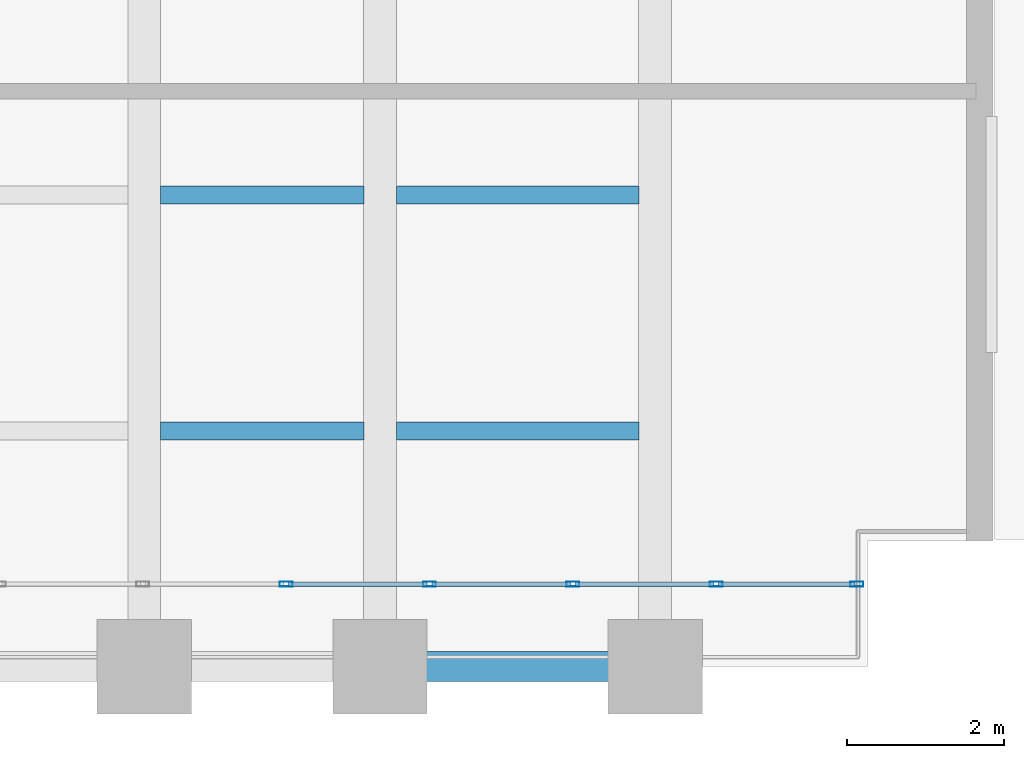
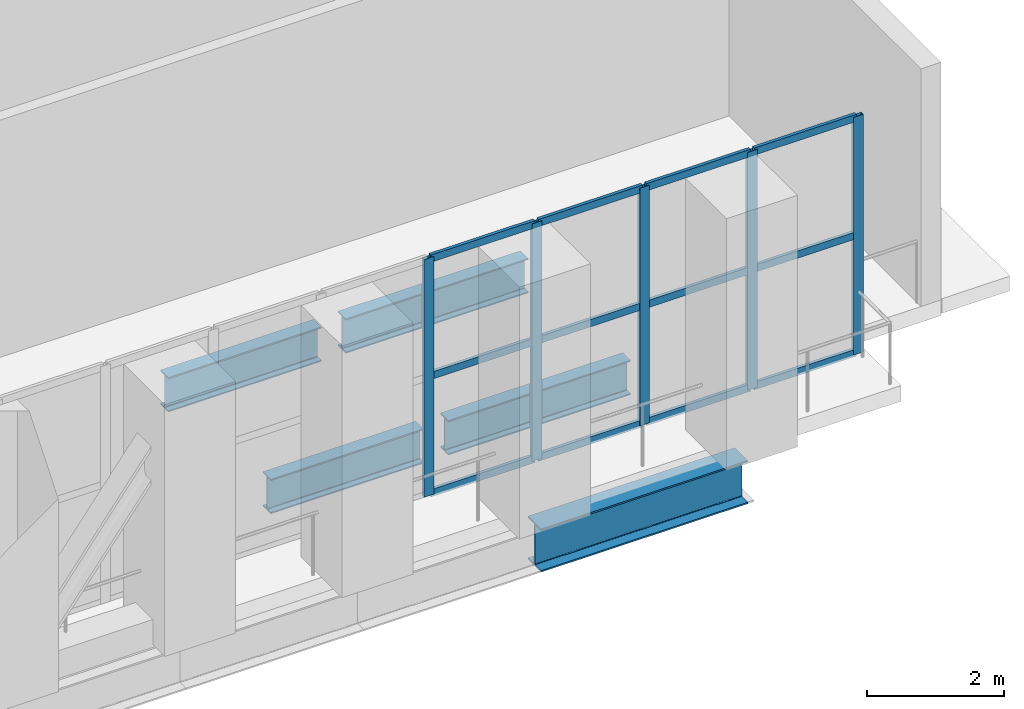
# One storey, part 15 of 27: 17 members, 5 beams, 1 element without a shape of its own.
"""IFC4 building model written with IfcOpenShell, lengths in metres."""

import ifcopenshell
import ifcopenshell.guid

model = None  # the IFC model being written
_history = None  # IfcOwnerHistory: only IFC2X3 demands one
_inside = {}  # id of a spatial element -> (the spatial element, [elements in it])
_under = {}  # id of a project, library or spatial element -> (it, [spatial elements below it])
_declared = {}  # id of a project -> (the project, [libraries it declares])
_typed = {}  # id of a type object -> (the type object, [elements of that type])
_made_of = {}  # id of a material, layer set ... -> (it, [elements and type objects made of it])


def new_model(schema):
    """Start an empty IFC model of exactly this schema.

    Asked for "IFC4X3", IfcOpenShell would pick the latest addendum, in which some entities
    have other attributes; the version numbers below select the first issue.
    IFC2X3 requires an IfcOwnerHistory on every rooted entity: one is made here for all.
    """
    global model, _history
    if schema == "IFC4X3":
        model = ifcopenshell.file(schema_version=(4, 3, 0, 0))
    else:
        model = ifcopenshell.file(schema=schema)
    _inside.clear()
    _under.clear()
    _declared.clear()
    _typed.clear()
    _made_of.clear()
    _history = None
    if model.schema == "IFC2X3":
        org = make("IfcOrganization", Name="unknown")
        user = make(
            "IfcPersonAndOrganization",
            ThePerson=make("IfcPerson", FamilyName="unknown"),
            TheOrganization=org,
        )
        app = make(
            "IfcApplication",
            ApplicationDeveloper=org,
            Version="unknown",
            ApplicationFullName="unknown",
            ApplicationIdentifier="unknown",
        )
        _history = make(
            "IfcOwnerHistory",
            OwningUser=user,
            OwningApplication=app,
            ChangeAction="ADDED",
            CreationDate=0,
        )
    return model


def make(cls, **values):
    """One entity of the class cls with the attributes given. An attribute that is None is left unset."""
    return model.create_entity(
        cls, **{name: value for name, value in values.items() if value is not None}
    )


def rooted(cls, **values):
    """An entity with a GlobalId (a new one), such as an element, a storey or a relation."""
    return make(cls, GlobalId=ifcopenshell.guid.new(), OwnerHistory=_history, **values)


def si_unit(unit_type, name, prefix=None):
    """IfcSIUnit, for example si_unit("LENGTHUNIT", "METRE", prefix="MILLI")."""
    return make("IfcSIUnit", UnitType=unit_type, Prefix=prefix, Name=name)


def assignment(units):
    """IfcUnitAssignment: the units of a project."""
    return None if units is None else make("IfcUnitAssignment", Units=units)


def point(xyz):
    """IfcCartesianPoint."""
    return None if xyz is None else make("IfcCartesianPoint", Coordinates=xyz)


def direction(xyz):
    """IfcDirection."""
    return None if xyz is None else make("IfcDirection", DirectionRatios=xyz)


def frame(location, z_axis=None, x_axis=None):
    """IfcAxis2Placement3D, a coordinate frame: its origin and axes. An axis left out is left unset."""
    return make(
        "IfcAxis2Placement3D",
        Location=point(location),
        Axis=direction(z_axis),
        RefDirection=direction(x_axis),
    )


def frame_2d(location, x_axis=None):
    """IfcAxis2Placement2D, a coordinate frame in the plane: its origin and x axis."""
    return make(
        "IfcAxis2Placement2D", Location=point(location), RefDirection=direction(x_axis)
    )


def origin():
    """The frame at (0, 0, 0) with its axes left unset."""
    return frame((0.0, 0.0, 0.0))


def origin_2d():
    """The frame at (0, 0) in the plane with its x axis left unset."""
    return frame_2d((0.0, 0.0))


def place(relative_to, where):
    """IfcLocalPlacement: puts the frame where relative to a parent placement (None: the world)."""
    return make(
        "IfcLocalPlacement", PlacementRelTo=relative_to, RelativePlacement=where
    )


def context(
    kind, dimensions, precision=None, world=None, true_north=None, identifier=None
):
    """IfcGeometricRepresentationContext, for example the 3D "Model" context."""
    return make(
        "IfcGeometricRepresentationContext",
        ContextIdentifier=identifier,
        ContextType=kind,
        CoordinateSpaceDimension=dimensions,
        Precision=precision,
        WorldCoordinateSystem=world,
        TrueNorth=true_north,
    )


def subcontext(parent, identifier, kind, view, scale=None):
    """IfcGeometricRepresentationSubContext, for example "Body" below "Model"."""
    return make(
        "IfcGeometricRepresentationSubContext",
        ContextIdentifier=identifier,
        ContextType=kind,
        ParentContext=parent,
        TargetScale=scale,
        TargetView=view,
    )


def project(units=None, contexts=None):
    """IfcProject with its units and contexts."""
    return rooted(
        "IfcProject",
        Name="project",
        RepresentationContexts=contexts,
        UnitsInContext=assignment(units),
    )


def spatial(cls, under=None, at=None, **own):
    """A site, building, storey or space (cls), placed at a placement, below another one or the project."""
    s = rooted(cls, ObjectPlacement=at, **own)
    if under is not None:
        _under.setdefault(under.id(), (under, []))[1].append(s)
    return s


def profile(cls, at=None, kind="AREA", **sizes):
    """A parametric profile (cls). Its sizes go by their IFC names, for example OverallWidth=200.0."""
    return make(cls, ProfileType=kind, Position=at, **sizes)


def hollow_rectangle(**sizes):
    """IfcRectangleHollowProfileDef."""
    return profile("IfcRectangleHollowProfileDef", **sizes)


def i_section(**sizes):
    """IfcIShapeProfileDef."""
    return profile("IfcIShapeProfileDef", **sizes)


def extrude(swept, where, along, depth):
    """IfcExtrudedAreaSolid: the profile swept, set in the frame where, extruded along a direction by depth."""
    return make(
        "IfcExtrudedAreaSolid",
        SweptArea=swept,
        Position=where,
        ExtrudedDirection=direction(along),
        Depth=depth,
    )


def shape(context_of_items, identifier, shape_type, items):
    """IfcShapeRepresentation: the items that make up one representation, for example the "Body"."""
    return make(
        "IfcShapeRepresentation",
        ContextOfItems=context_of_items,
        RepresentationIdentifier=identifier,
        RepresentationType=shape_type,
        Items=items,
    )


def material(Name=None, Category=None):
    """IfcMaterial."""
    return make("IfcMaterial", Name=Name, Category=Category)


def layer(
    of_material, thickness, ventilated=None, Name=None, Category=None, Priority=None
):
    """IfcMaterialLayer: one layer of a wall or slab, of a material (None: an air gap)."""
    return make(
        "IfcMaterialLayer",
        Material=of_material,
        LayerThickness=thickness,
        IsVentilated=ventilated,
        Name=Name,
        Category=Category,
        Priority=Priority,
    )


def layer_set(layers, Name=None):
    """IfcMaterialLayerSet."""
    return make("IfcMaterialLayerSet", MaterialLayers=layers, LayerSetName=Name)


def material_profile(
    of_material, cross_section, Name=None, Category=None, Priority=None
):
    """IfcMaterialProfile: a cross section and its material."""
    return make(
        "IfcMaterialProfile",
        Name=Name,
        Material=of_material,
        Profile=cross_section,
        Priority=Priority,
        Category=Category,
    )


def profile_set(profiles, Name=None, composite=None):
    """IfcMaterialProfileSet."""
    return make(
        "IfcMaterialProfileSet",
        Name=Name,
        MaterialProfiles=profiles,
        CompositeProfile=composite,
    )


def made_of(thing, what):
    """Note that an element or type object is made of a material, layer set ...; save() writes the relation."""
    if what is not None:
        _made_of.setdefault(what.id(), (what, []))[1].append(thing)
    return thing


def type_object(cls, material=None, **own):
    """A type object (cls), such as IfcWallType, which elements share."""
    return made_of(rooted(cls, **own), material)


def element(
    cls,
    number,
    at=None,
    inside=None,
    cuts=None,
    type_object=None,
    material=None,
    context=None,
    identifier="Body",
    shape_type=None,
    held_by="IfcProductDefinitionShape",
    body=None,
    shapes=None,
    **own,
):
    """One element of the class cls, such as IfcWall. Its Tag is "e" and its number.

    at: its placement. inside: the storey or other place that contains it. cuts: it is an
    opening in that element (IfcRelVoidsElement). A single representation is given by context,
    identifier, shape_type and body (its items); several are given by shapes. held_by: the class
    of the entity that holds the representations. save() writes the other relations.
    """
    e = rooted(cls, Tag="e%d" % number, ObjectPlacement=at, **own)
    if body is not None:
        shapes = [shape(context, identifier, shape_type, body)]
    if shapes is not None:
        e.Representation = make(held_by, Representations=shapes)
    if inside is not None:
        _inside.setdefault(inside.id(), (inside, []))[1].append(e)
    if cuts is not None:
        rooted(
            "IfcRelVoidsElement", RelatingBuildingElement=cuts, RelatedOpeningElement=e
        )
    if type_object is not None:
        _typed.setdefault(type_object.id(), (type_object, []))[1].append(e)
    return made_of(e, material)


def aggregate(whole, parts):
    """IfcRelAggregates: a whole, such as a stair, and the parts it consists of."""
    return rooted("IfcRelAggregates", RelatingObject=whole, RelatedObjects=parts)


def save(model, path):
    """Write the relations noted so far, then the file.

    IfcRelAggregates (storeys below a building ...), IfcRelContainedInSpatialStructure (elements
    in a storey), IfcRelDefinesByType, IfcRelAssociatesMaterial and IfcRelDeclares: one each for
    every whole, place, type object, material and project.
    """
    for whole, parts in _under.values():
        aggregate(whole, parts)
    for where, things in _inside.values():
        rooted(
            "IfcRelContainedInSpatialStructure",
            RelatedElements=things,
            RelatingStructure=where,
        )
    for kind, things in _typed.values():
        rooted("IfcRelDefinesByType", RelatedObjects=things, RelatingType=kind)
    for what, things in _made_of.values():
        rooted("IfcRelAssociatesMaterial", RelatedObjects=things, RelatingMaterial=what)
    for by, libraries in _declared.values():
        rooted("IfcRelDeclares", RelatingContext=by, RelatedDefinitions=libraries)
    model.write(path)


model = new_model("IFC4")

# Units and contexts
model_context = context("Model", 3, precision=1e-05, world=origin(), true_north=direction((0.0, 1.0)))
body_context = subcontext(model_context, "Body", "Model", "MODEL_VIEW")
ifc_project = project(units=[si_unit("LENGTHUNIT", "METRE"), si_unit("AREAUNIT", "SQUARE_METRE"), si_unit("VOLUMEUNIT", "CUBIC_METRE"), si_unit("PLANEANGLEUNIT", "RADIAN"), si_unit("MASSUNIT", "GRAM", prefix="KILO")], contexts=[model_context])

# Site, building, storey
site_placement = place(None, origin())
site = spatial("IfcSite", under=ifc_project, at=site_placement, CompositionType="ELEMENT")
building_placement = place(site_placement, origin())
building = spatial("IfcBuilding", under=site, at=building_placement, Name="Mawjdan Bourse Tower", CompositionType="ELEMENT")
storey_placement = place(building_placement, frame((0.0, 0.0, 84.60009765625)))
storey = spatial("IfcBuildingStorey", under=building, at=storey_placement, Name="L19", CompositionType="ELEMENT", Elevation=84.60009765625)

# Beams
ifc_material_1 = material(Name="Structural Steel S355", Category="steel")
ifc_material_profile_1 = material_profile(ifc_material_1, i_section(OverallWidth=0.22998046875, OverallDepth=0.616943359375, WebThickness=0.01318359375, FlangeThickness=0.022216796875, FilletRadius=0.017822265625, at=origin_2d()), Name="W24X94")
ifc_profile_set_1 = profile_set([ifc_material_profile_1], Name="Structural Steel S355")
beam_type_1 = type_object("IfcBeamType", Name="JST-W24X94", PredefinedType="JOIST", material=ifc_profile_set_1)
beam_1_placement = place(storey_placement, frame((54.20703125, 6.0, -0.588623046875), z_axis=(1.0, 0.0, 0.0), x_axis=(0.0, 1.0, 0.0)))
element("IfcBeam", 1, at=beam_1_placement, inside=storey, type_object=beam_type_1, Name="L19 East Wing Composite Joist 028", PredefinedType="JOIST", context=body_context, shape_type="SweptSolid", body=[
    extrude(i_section(OverallWidth=0.22998046875, OverallDepth=0.616943359375, WebThickness=0.01318359375, FlangeThickness=0.022216796875, FilletRadius=0.017822265625, at=origin_2d()), origin(), (0.0, 0.0, 1.0), 2.5859375),
])
beam_2_placement = place(storey_placement, frame((57.20703125, 6.0, -0.588623046875), z_axis=(1.0, 0.0, 0.0), x_axis=(0.0, 1.0, 0.0)))
element("IfcBeam", 2, at=beam_2_placement, inside=storey, type_object=beam_type_1, Name="L19 East Wing Composite Joist 029", PredefinedType="JOIST", context=body_context, shape_type="SweptSolid", body=[
    extrude(i_section(OverallWidth=0.22998046875, OverallDepth=0.616943359375, WebThickness=0.01318359375, FlangeThickness=0.022216796875, FilletRadius=0.017822265625, at=origin_2d()), origin(), (0.0, 0.0, 1.0), 3.0859375),
])
beam_3_placement = place(storey_placement, frame((54.20703125, 9.0, -0.588623046875), z_axis=(1.0, 0.0, 0.0), x_axis=(0.0, 1.0, 0.0)))
element("IfcBeam", 3, at=beam_3_placement, inside=storey, type_object=beam_type_1, Name="L19 East Wing Composite Joist 035", PredefinedType="JOIST", context=body_context, shape_type="SweptSolid", body=[
    extrude(i_section(OverallWidth=0.22998046875, OverallDepth=0.616943359375, WebThickness=0.01318359375, FlangeThickness=0.022216796875, FilletRadius=0.017822265625, at=origin_2d()), origin(), (0.0, 0.0, 1.0), 2.5859375),
])
beam_4_placement = place(storey_placement, frame((57.20703125, 9.0, -0.588623046875), z_axis=(1.0, 0.0, 0.0), x_axis=(0.0, 1.0, 0.0)))
element("IfcBeam", 4, at=beam_4_placement, inside=storey, type_object=beam_type_1, Name="L19 East Wing Composite Joist 036", PredefinedType="JOIST", context=body_context, shape_type="SweptSolid", body=[
    extrude(i_section(OverallWidth=0.22998046875, OverallDepth=0.616943359375, WebThickness=0.01318359375, FlangeThickness=0.022216796875, FilletRadius=0.017822265625, at=origin_2d()), origin(), (0.0, 0.0, 1.0), 3.0859375),
])

# Curtain wall, members
ifc_material_2 = material(Name="Thermally Broken Aluminium and Solar Glass", Category="aluminium")
ifc_layer = layer(ifc_material_2, 0.219970703125)
ifc_layer_set = layer_set([ifc_layer], Name="Thermally Broken Aluminium and Solar Glass")
curtain_wall_type = type_object("IfcCurtainWallType", Name="CW-RFG", PredefinedType="USERDEFINED", material=ifc_layer_set)
curtain_wall_placement = place(storey_placement, origin())
curtain_wall = element("IfcCurtainWall", 5, at=curtain_wall_placement, inside=storey, type_object=curtain_wall_type, Name="L19 Refuge Band South Louvre Curtain Wall", ObjectType="REFUGE BAND LOUVRE SCREEN", PredefinedType="USERDEFINED")
ifc_material_3 = material(Name="Thermally Broken Anodised Aluminium", Category="aluminium")
ifc_material_profile_2 = material_profile(ifc_material_3, hollow_rectangle(XDim=0.06494140625, YDim=0.1650390625, WallThickness=0.00390625, at=origin_2d()), Name="ALU-MUL-165X65")
ifc_profile_set_2 = profile_set([ifc_material_profile_2], Name="Thermally Broken Anodised Aluminium")
member_type_1 = type_object("IfcMemberType", Name="MUL-ALU-MUL-165X65", PredefinedType="MULLION", material=ifc_profile_set_2)
member_1_placement = place(storey_placement, frame((55.8046875, 4.050048828125, 0.0), z_axis=(0.0, 0.0, 1.0), x_axis=(0.0, 1.0, 0.0)))
member_1 = element("IfcMember", 6, at=member_1_placement, type_object=member_type_1, Name="CW-RFG-L19-RFG-S mullion 18", PredefinedType="MULLION", context=body_context, shape_type="SweptSolid", body=[
    extrude(hollow_rectangle(XDim=0.06494140625, YDim=0.1650390625, WallThickness=0.00390625, at=origin_2d()), origin(), (0.0, 0.0, 1.0), 4.25),
])
member_2_placement = place(storey_placement, frame((57.628662109375, 4.050048828125, 0.0), z_axis=(0.0, 0.0, 1.0), x_axis=(0.0, 1.0, 0.0)))
member_2 = element("IfcMember", 7, at=member_2_placement, type_object=member_type_1, Name="CW-RFG-L19-RFG-S mullion 19", PredefinedType="MULLION", context=body_context, shape_type="SweptSolid", body=[
    extrude(hollow_rectangle(XDim=0.06494140625, YDim=0.1650390625, WallThickness=0.00390625, at=origin_2d()), origin(), (0.0, 0.0, 1.0), 4.25),
])
member_3_placement = place(storey_placement, frame((59.452392578125, 4.050048828125, 0.0), z_axis=(0.0, 0.0, 1.0), x_axis=(0.0, 1.0, 0.0)))
member_3 = element("IfcMember", 8, at=member_3_placement, type_object=member_type_1, Name="CW-RFG-L19-RFG-S mullion 20", PredefinedType="MULLION", context=body_context, shape_type="SweptSolid", body=[
    extrude(hollow_rectangle(XDim=0.06494140625, YDim=0.1650390625, WallThickness=0.00390625, at=origin_2d()), origin(), (0.0, 0.0, 1.0), 4.25),
])
member_4_placement = place(storey_placement, frame((61.276123046875, 4.050048828125, 0.0), z_axis=(0.0, 0.0, 1.0), x_axis=(0.0, 1.0, 0.0)))
member_4 = element("IfcMember", 9, at=member_4_placement, type_object=member_type_1, Name="CW-RFG-L19-RFG-S mullion 21", PredefinedType="MULLION", context=body_context, shape_type="SweptSolid", body=[
    extrude(hollow_rectangle(XDim=0.06494140625, YDim=0.1650390625, WallThickness=0.00390625, at=origin_2d()), origin(), (0.0, 0.0, 1.0), 4.25),
])
member_5_placement = place(storey_placement, frame((63.0673828125, 4.050048828125, 0.0), z_axis=(0.0, 0.0, 1.0), x_axis=(0.0, 1.0, 0.0)))
member_5 = element("IfcMember", 10, at=member_5_placement, type_object=member_type_1, Name="CW-RFG-L19-RFG-S mullion 22", PredefinedType="MULLION", context=body_context, shape_type="SweptSolid", body=[
    extrude(hollow_rectangle(XDim=0.06494140625, YDim=0.1650390625, WallThickness=0.00390625, at=origin_2d()), origin(), (0.0, 0.0, 1.0), 4.25),
])

# Beam
ifc_material_profile_3 = material_profile(ifc_material_1, i_section(OverallWidth=0.381103515625, OverallDepth=0.77294921875, WebThickness=0.0166015625, FlangeThickness=0.027099609375, FilletRadius=0.021728515625, at=origin_2d()), Name="W30X173")
ifc_profile_set_3 = profile_set([ifc_material_profile_3], Name="Structural Steel S355")
beam_type_2 = type_object("IfcBeamType", Name="SPN-W30X173", PredefinedType="SPANDREL", material=ifc_profile_set_3)
beam_5_placement = place(storey_placement, frame((57.0, 3.0, -0.66650390625), z_axis=(1.0, 0.0, 0.0), x_axis=(0.0, 1.0, 0.0)))
element("IfcBeam", 11, at=beam_5_placement, inside=storey, type_object=beam_type_2, Name="L19 Perimeter Masonry-Shelf Spandrel 015", PredefinedType="SPANDREL", context=body_context, shape_type="SweptSolid", body=[
    extrude(i_section(OverallWidth=0.381103515625, OverallDepth=0.77294921875, WebThickness=0.0166015625, FlangeThickness=0.027099609375, FilletRadius=0.021728515625, at=origin_2d()), origin(), (0.0, 0.0, 1.0), 3.5),
])

# Member
ifc_material_profile_4 = material_profile(ifc_material_3, hollow_rectangle(XDim=0.054931640625, YDim=0.1298828125, WallThickness=0.00341796875, at=origin_2d()), Name="ALU-TRN-130X55")
ifc_profile_set_4 = profile_set([ifc_material_profile_4], Name="Thermally Broken Anodised Aluminium")
member_type_2 = type_object("IfcMemberType", Name="TRN-ALU-TRN-130X55", PredefinedType="USERDEFINED", material=ifc_profile_set_4)
member_6_placement = place(storey_placement, frame((55.837158203125, 4.050048828125, 0.02734375), z_axis=(1.0, 0.0, 0.0), x_axis=(0.0, 1.0, 0.0)))
member_6 = element("IfcMember", 12, at=member_6_placement, type_object=member_type_2, Name="CW-RFG-L19-RFG-S transom 18.1", ObjectType="TRANSOM", PredefinedType="USERDEFINED", context=body_context, shape_type="SweptSolid", body=[
    extrude(hollow_rectangle(XDim=0.054931640625, YDim=0.1298828125, WallThickness=0.00341796875, at=origin_2d()), origin(), (0.0, 0.0, 1.0), 1.759033203125),
])

member_7_placement = place(storey_placement, frame((55.837158203125, 4.050048828125, 2.125), z_axis=(1.0, 0.0, 0.0), x_axis=(0.0, 1.0, 0.0)))
member_7 = element("IfcMember", 13, at=member_7_placement, type_object=member_type_2, Name="CW-RFG-L19-RFG-S transom 18.2", ObjectType="TRANSOM", PredefinedType="USERDEFINED", context=body_context, shape_type="SweptSolid", body=[
    extrude(hollow_rectangle(XDim=0.054931640625, YDim=0.1298828125, WallThickness=0.00341796875, at=origin_2d()), origin(), (0.0, 0.0, 1.0), 1.759033203125),
])

member_8_placement = place(storey_placement, frame((55.837158203125, 4.050048828125, 4.222412109375), z_axis=(1.0, 0.0, 0.0), x_axis=(0.0, 1.0, 0.0)))
member_8 = element("IfcMember", 14, at=member_8_placement, type_object=member_type_2, Name="CW-RFG-L19-RFG-S transom 18.3", ObjectType="TRANSOM", PredefinedType="USERDEFINED", context=body_context, shape_type="SweptSolid", body=[
    extrude(hollow_rectangle(XDim=0.054931640625, YDim=0.1298828125, WallThickness=0.00341796875, at=origin_2d()), origin(), (0.0, 0.0, 1.0), 1.759033203125),
])

member_9_placement = place(storey_placement, frame((57.6611328125, 4.050048828125, 0.02734375), z_axis=(1.0, 0.0, 0.0), x_axis=(0.0, 1.0, 0.0)))
member_9 = element("IfcMember", 15, at=member_9_placement, type_object=member_type_2, Name="CW-RFG-L19-RFG-S transom 19.1", ObjectType="TRANSOM", PredefinedType="USERDEFINED", context=body_context, shape_type="SweptSolid", body=[
    extrude(hollow_rectangle(XDim=0.054931640625, YDim=0.1298828125, WallThickness=0.00341796875, at=origin_2d()), origin(), (0.0, 0.0, 1.0), 1.7587890625),
])

member_10_placement = place(storey_placement, frame((57.6611328125, 4.050048828125, 2.125), z_axis=(1.0, 0.0, 0.0), x_axis=(0.0, 1.0, 0.0)))
member_10 = element("IfcMember", 16, at=member_10_placement, type_object=member_type_2, Name="CW-RFG-L19-RFG-S transom 19.2", ObjectType="TRANSOM", PredefinedType="USERDEFINED", context=body_context, shape_type="SweptSolid", body=[
    extrude(hollow_rectangle(XDim=0.054931640625, YDim=0.1298828125, WallThickness=0.00341796875, at=origin_2d()), origin(), (0.0, 0.0, 1.0), 1.7587890625),
])

member_11_placement = place(storey_placement, frame((57.6611328125, 4.050048828125, 4.222412109375), z_axis=(1.0, 0.0, 0.0), x_axis=(0.0, 1.0, 0.0)))
member_11 = element("IfcMember", 17, at=member_11_placement, type_object=member_type_2, Name="CW-RFG-L19-RFG-S transom 19.3", ObjectType="TRANSOM", PredefinedType="USERDEFINED", context=body_context, shape_type="SweptSolid", body=[
    extrude(hollow_rectangle(XDim=0.054931640625, YDim=0.1298828125, WallThickness=0.00341796875, at=origin_2d()), origin(), (0.0, 0.0, 1.0), 1.7587890625),
])

member_12_placement = place(storey_placement, frame((59.48486328125, 4.050048828125, 0.02734375), z_axis=(1.0, 0.0, 0.0), x_axis=(0.0, 1.0, 0.0)))
member_12 = element("IfcMember", 18, at=member_12_placement, type_object=member_type_2, Name="CW-RFG-L19-RFG-S transom 20.1", ObjectType="TRANSOM", PredefinedType="USERDEFINED", context=body_context, shape_type="SweptSolid", body=[
    extrude(hollow_rectangle(XDim=0.054931640625, YDim=0.1298828125, WallThickness=0.00341796875, at=origin_2d()), origin(), (0.0, 0.0, 1.0), 1.7587890625),
])

member_13_placement = place(storey_placement, frame((59.48486328125, 4.050048828125, 2.125), z_axis=(1.0, 0.0, 0.0), x_axis=(0.0, 1.0, 0.0)))
member_13 = element("IfcMember", 19, at=member_13_placement, type_object=member_type_2, Name="CW-RFG-L19-RFG-S transom 20.2", ObjectType="TRANSOM", PredefinedType="USERDEFINED", context=body_context, shape_type="SweptSolid", body=[
    extrude(hollow_rectangle(XDim=0.054931640625, YDim=0.1298828125, WallThickness=0.00341796875, at=origin_2d()), origin(), (0.0, 0.0, 1.0), 1.7587890625),
])

member_14_placement = place(storey_placement, frame((59.48486328125, 4.050048828125, 4.222412109375), z_axis=(1.0, 0.0, 0.0), x_axis=(0.0, 1.0, 0.0)))
member_14 = element("IfcMember", 20, at=member_14_placement, type_object=member_type_2, Name="CW-RFG-L19-RFG-S transom 20.3", ObjectType="TRANSOM", PredefinedType="USERDEFINED", context=body_context, shape_type="SweptSolid", body=[
    extrude(hollow_rectangle(XDim=0.054931640625, YDim=0.1298828125, WallThickness=0.00341796875, at=origin_2d()), origin(), (0.0, 0.0, 1.0), 1.7587890625),
])

member_15_placement = place(storey_placement, frame((61.30859375, 4.050048828125, 0.02734375), z_axis=(1.0, 0.0, 0.0), x_axis=(0.0, 1.0, 0.0)))
member_15 = element("IfcMember", 21, at=member_15_placement, type_object=member_type_2, Name="CW-RFG-L19-RFG-S transom 21.1", ObjectType="TRANSOM", PredefinedType="USERDEFINED", context=body_context, shape_type="SweptSolid", body=[
    extrude(hollow_rectangle(XDim=0.054931640625, YDim=0.1298828125, WallThickness=0.00341796875, at=origin_2d()), origin(), (0.0, 0.0, 1.0), 1.726318359375),
])

member_16_placement = place(storey_placement, frame((61.30859375, 4.050048828125, 2.125), z_axis=(1.0, 0.0, 0.0), x_axis=(0.0, 1.0, 0.0)))
member_16 = element("IfcMember", 22, at=member_16_placement, type_object=member_type_2, Name="CW-RFG-L19-RFG-S transom 21.2", ObjectType="TRANSOM", PredefinedType="USERDEFINED", context=body_context, shape_type="SweptSolid", body=[
    extrude(hollow_rectangle(XDim=0.054931640625, YDim=0.1298828125, WallThickness=0.00341796875, at=origin_2d()), origin(), (0.0, 0.0, 1.0), 1.726318359375),
])

member_17_placement = place(storey_placement, frame((61.30859375, 4.050048828125, 4.222412109375), z_axis=(1.0, 0.0, 0.0), x_axis=(0.0, 1.0, 0.0)))
member_17 = element("IfcMember", 23, at=member_17_placement, type_object=member_type_2, Name="CW-RFG-L19-RFG-S transom 21.3", ObjectType="TRANSOM", PredefinedType="USERDEFINED", context=body_context, shape_type="SweptSolid", body=[
    extrude(hollow_rectangle(XDim=0.054931640625, YDim=0.1298828125, WallThickness=0.00341796875, at=origin_2d()), origin(), (0.0, 0.0, 1.0), 1.726318359375),
])

aggregate(curtain_wall, [member_1, member_2, member_3, member_4, member_5, member_6, member_7, member_8, member_9, member_10, member_11, member_12, member_13, member_14, member_15, member_16, member_17])

save(model, "model.ifc")
